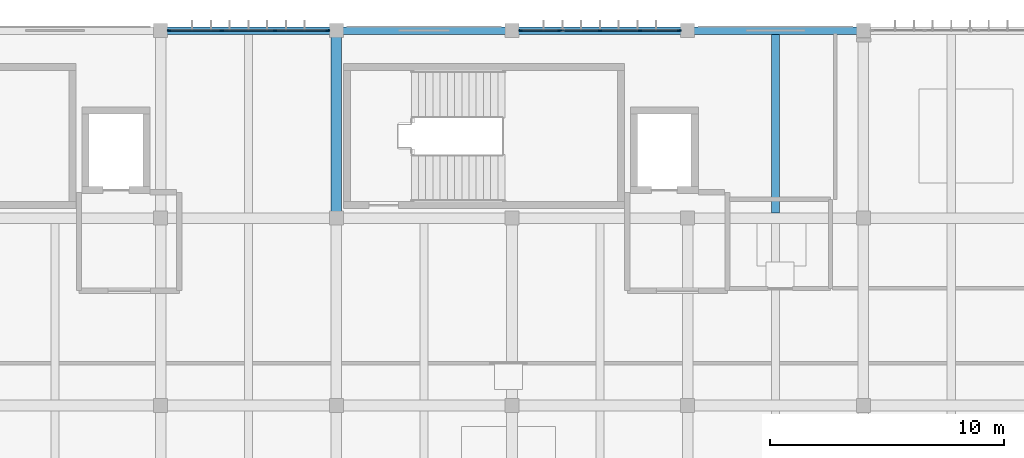
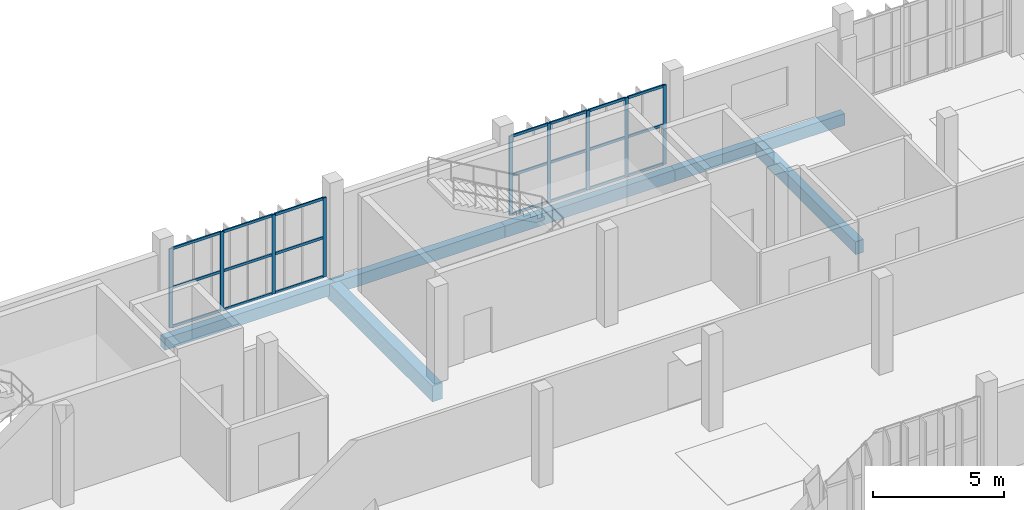
# One storey, part 16 of 81: 30 members, 6 beams, 2 elements without a shape of their own.
"""IFC4 building model written with IfcOpenShell, lengths in metres."""

from ifc_helpers import new_model, si_unit, direction, frame, origin, origin_2d, place, context, subcontext, project, spatial, rectangle, extrude, material, material_profile, profile_set, type_object, element, aggregate, save


model = new_model("IFC4")

# Units and contexts
model_context = context("Model", 3, precision=1e-05, world=origin(), true_north=direction((0.0, 1.0)))
body_context = subcontext(model_context, "Body", "Model", "MODEL_VIEW")
ifc_project = project(units=[si_unit("LENGTHUNIT", "METRE"), si_unit("AREAUNIT", "SQUARE_METRE"), si_unit("VOLUMEUNIT", "CUBIC_METRE"), si_unit("PLANEANGLEUNIT", "RADIAN"), si_unit("MASSUNIT", "GRAM", prefix="KILO")], contexts=[model_context])

# Site, building, storey
site_placement = place(None, origin())
site = spatial("IfcSite", under=ifc_project, at=site_placement, CompositionType="ELEMENT")
building_placement = place(site_placement, origin())
building = spatial("IfcBuilding", under=site, at=building_placement, Name="Vourika Railside Aquatics Centre", CompositionType="ELEMENT")
storey_placement = place(building_placement, frame((0.0, 0.0, 4.800048828125)))
storey = spatial("IfcBuildingStorey", under=building, at=storey_placement, Name="L01", CompositionType="ELEMENT", Elevation=4.800048828125)

# Beams
ifc_material_1 = material(Name="Concrete C35/45", Category="concrete")
ifc_material_profile_1 = material_profile(ifc_material_1, rectangle(XDim=0.449951171875, YDim=0.75, at=origin_2d()), Name="RC 450x750")
ifc_profile_set_1 = profile_set([ifc_material_profile_1], Name="Concrete C35/45")
beam_type_1 = type_object("IfcBeamType", Name="BM-GIRD-450x750", PredefinedType="BEAM", material=ifc_profile_set_1)
beam_1_placement = place(storey_placement, frame((43.5, 108.0, -0.675048828125), z_axis=(0.0, 1.0, 0.0), x_axis=(-1.0, 0.0, 0.0)))
element("IfcBeam", 1, at=beam_1_placement, inside=storey, type_object=beam_type_1, Name="Floor Girder GY-L01-206", PredefinedType="BEAM", context=body_context, shape_type="SweptSolid", body=[
    extrude(rectangle(XDim=0.449951171875, YDim=0.75, at=origin_2d()), origin(), (0.0, 0.0, 1.0), 8.0),
])
ifc_material_profile_2 = material_profile(ifc_material_1, rectangle(XDim=0.35009765625, YDim=0.60009765625, at=origin_2d()), Name="RC 350x600")
ifc_profile_set_2 = profile_set([ifc_material_profile_2], Name="Concrete C35/45")
beam_type_2 = type_object("IfcBeamType", Name="BM-SEC-350x600", PredefinedType="JOIST", material=ifc_profile_set_2)
beam_2_placement = place(storey_placement, frame((62.25, 108.22509765625, -0.60009765625), z_axis=(0.0, 1.0, 0.0), x_axis=(-1.0, 0.0, 0.0)))
element("IfcBeam", 2, at=beam_2_placement, inside=storey, type_object=beam_type_2, Name="Secondary Joist JY-L01-382", PredefinedType="JOIST", context=body_context, shape_type="SweptSolid", body=[
    extrude(rectangle(XDim=0.35009765625, YDim=0.60009765625, at=origin_2d()), origin(), (0.0, 0.0, 1.0), 7.614990234375),
])
ifc_material_profile_3 = material_profile(ifc_material_1, rectangle(XDim=0.320068359375, YDim=0.550048828125, at=origin_2d()), Name="RC 320x550")
ifc_profile_set_3 = profile_set([ifc_material_profile_3], Name="Concrete C35/45")
beam_type_3 = type_object("IfcBeamType", Name="BM-SPAN-320x550", PredefinedType="SPANDREL", material=ifc_profile_set_3)
for number, where, z_axis, x_axis, name in (
    (3, (36.0, 116.0, -0.574951171875), (1.0, 0.0, 0.0), (0.0, 1.0, 0.0), "Floor Beam GX-L01-156"),
    (4, (43.5, 116.0, -0.574951171875), (1.0, 0.0, 0.0), (0.0, 1.0, 0.0), "Floor Beam GX-L01-157"),
    (5, (51.0, 116.0, -0.574951171875), (1.0, 0.0, 0.0), (0.0, 1.0, 0.0), "Floor Beam GX-L01-158"),
    (6, (58.5, 116.0, -0.574951171875), (1.0, 0.0, 0.0), (0.0, 1.0, 0.0), "Floor Beam GX-L01-159"),
):
    element("IfcBeam", number, at=place(storey_placement, frame(where, z_axis=z_axis, x_axis=x_axis)), inside=storey, type_object=beam_type_3, Name=name, PredefinedType="SPANDREL", context=body_context, shape_type="SweptSolid", body=[
        extrude(rectangle(XDim=0.320068359375, YDim=0.550048828125, at=origin_2d()), origin(), (0.0, 0.0, 1.0), 7.5),
    ])

# Curtain wall, members
ifc_material_2 = material(Name="Anodized thermally broken aluminium", Category="aluminium")
curtain_wall_type = type_object("IfcCurtainWallType", Name="CW-FIT1", PredefinedType="NOTDEFINED", material=ifc_material_2)
curtain_wall_1_placement = place(storey_placement, origin())
curtain_wall_1 = element("IfcCurtainWall", 7, at=curtain_wall_1_placement, inside=storey, type_object=curtain_wall_type, Name="North Boulevard Curtain Wall L01-3", PredefinedType="NOTDEFINED")
ifc_material_3 = material(Name="Anodized aluminium mullion", Category="aluminium")
ifc_material_profile_4 = material_profile(ifc_material_3, rectangle(XDim=0.06201171875, YDim=0.156005859375, at=origin_2d()), Name="ALU-M 62x156")
ifc_profile_set_4 = profile_set([ifc_material_profile_4], Name="Anodized aluminium mullion")
member_type_1 = type_object("IfcMemberType", Name="CWM-FIT1", PredefinedType="MULLION", material=ifc_profile_set_4)
member_1_placement = place(storey_placement, frame((43.138916015625, 116.0, 0.0), z_axis=(0.0, 0.0, 1.0), x_axis=(0.0, -1.0, 0.0)))
member_1 = element("IfcMember", 8, at=member_1_placement, type_object=member_type_1, Name="CW15 mullion 1", PredefinedType="MULLION", context=body_context, shape_type="SweptSolid", body=[
    extrude(rectangle(XDim=0.06201171875, YDim=0.156005859375, at=origin_2d()), origin(), (0.0, 0.0, 1.0), 3.699951171875),
])
member_2_placement = place(storey_placement, frame((40.889892578125, 116.0, 0.0), z_axis=(0.0, 0.0, 1.0), x_axis=(0.0, -1.0, 0.0)))
member_2 = element("IfcMember", 9, at=member_2_placement, type_object=member_type_1, Name="CW15 mullion 2", PredefinedType="MULLION", context=body_context, shape_type="SweptSolid", body=[
    extrude(rectangle(XDim=0.06201171875, YDim=0.156005859375, at=origin_2d()), origin(), (0.0, 0.0, 1.0), 3.699951171875),
])
member_3_placement = place(storey_placement, frame((38.610107421875, 116.0, 0.0), z_axis=(0.0, 0.0, 1.0), x_axis=(0.0, -1.0, 0.0)))
member_3 = element("IfcMember", 10, at=member_3_placement, type_object=member_type_1, Name="CW15 mullion 3", PredefinedType="MULLION", context=body_context, shape_type="SweptSolid", body=[
    extrude(rectangle(XDim=0.06201171875, YDim=0.156005859375, at=origin_2d()), origin(), (0.0, 0.0, 1.0), 3.699951171875),
])
member_4_placement = place(storey_placement, frame((36.361083984375, 116.0, 0.0), z_axis=(0.0, 0.0, 1.0), x_axis=(0.0, -1.0, 0.0)))
member_4 = element("IfcMember", 11, at=member_4_placement, type_object=member_type_1, Name="CW15 mullion 4", PredefinedType="MULLION", context=body_context, shape_type="SweptSolid", body=[
    extrude(rectangle(XDim=0.06201171875, YDim=0.156005859375, at=origin_2d()), origin(), (0.0, 0.0, 1.0), 3.699951171875),
])

curtain_wall_2_placement = place(storey_placement, origin())
curtain_wall_2 = element("IfcCurtainWall", 12, at=curtain_wall_2_placement, inside=storey, type_object=curtain_wall_type, Name="North Boulevard Curtain Wall L01-5", PredefinedType="NOTDEFINED")
member_5_placement = place(storey_placement, frame((58.138916015625, 116.0, 0.0), z_axis=(0.0, 0.0, 1.0), x_axis=(0.0, -1.0, 0.0)))
member_5 = element("IfcMember", 13, at=member_5_placement, type_object=member_type_1, Name="CW15 mullion 1", PredefinedType="MULLION", context=body_context, shape_type="SweptSolid", body=[
    extrude(rectangle(XDim=0.06201171875, YDim=0.156005859375, at=origin_2d()), origin(), (0.0, 0.0, 1.0), 3.699951171875),
])
member_6_placement = place(storey_placement, frame((56.4599609375, 116.0, 0.0), z_axis=(0.0, 0.0, 1.0), x_axis=(0.0, -1.0, 0.0)))
member_6 = element("IfcMember", 14, at=member_6_placement, type_object=member_type_1, Name="CW15 mullion 2", PredefinedType="MULLION", context=body_context, shape_type="SweptSolid", body=[
    extrude(rectangle(XDim=0.06201171875, YDim=0.156005859375, at=origin_2d()), origin(), (0.0, 0.0, 1.0), 3.699951171875),
])
member_7_placement = place(storey_placement, frame((54.75, 116.0, 0.0), z_axis=(0.0, 0.0, 1.0), x_axis=(0.0, -1.0, 0.0)))
member_7 = element("IfcMember", 15, at=member_7_placement, type_object=member_type_1, Name="CW15 mullion 3", PredefinedType="MULLION", context=body_context, shape_type="SweptSolid", body=[
    extrude(rectangle(XDim=0.06201171875, YDim=0.156005859375, at=origin_2d()), origin(), (0.0, 0.0, 1.0), 3.699951171875),
])
member_8_placement = place(storey_placement, frame((53.0400390625, 116.0, 0.0), z_axis=(0.0, 0.0, 1.0), x_axis=(0.0, -1.0, 0.0)))
member_8 = element("IfcMember", 16, at=member_8_placement, type_object=member_type_1, Name="CW15 mullion 4", PredefinedType="MULLION", context=body_context, shape_type="SweptSolid", body=[
    extrude(rectangle(XDim=0.06201171875, YDim=0.156005859375, at=origin_2d()), origin(), (0.0, 0.0, 1.0), 3.699951171875),
])
member_9_placement = place(storey_placement, frame((51.361083984375, 116.0, 0.0), z_axis=(0.0, 0.0, 1.0), x_axis=(0.0, -1.0, 0.0)))
member_9 = element("IfcMember", 17, at=member_9_placement, type_object=member_type_1, Name="CW15 mullion 5", PredefinedType="MULLION", context=body_context, shape_type="SweptSolid", body=[
    extrude(rectangle(XDim=0.06201171875, YDim=0.156005859375, at=origin_2d()), origin(), (0.0, 0.0, 1.0), 3.699951171875),
])

# Member
ifc_material_4 = material(Name="Anodized aluminium transom", Category="aluminium")
ifc_material_profile_5 = material_profile(ifc_material_4, rectangle(XDim=0.06201171875, YDim=0.1220703125, at=origin_2d()), Name="ALU-T 62x122")
ifc_profile_set_5 = profile_set([ifc_material_profile_5], Name="Anodized aluminium transom")
member_type_2 = type_object("IfcMemberType", Name="CWT-FIT1", PredefinedType="USERDEFINED", material=ifc_profile_set_5)
member_10_placement = place(storey_placement, frame((43.10791015625, 116.0, 0.031005859375), z_axis=(-1.0, 0.0, 0.0), x_axis=(0.0, -1.0, 0.0)))
member_10 = element("IfcMember", 18, at=member_10_placement, type_object=member_type_2, Name="CW15 transom 1.1", ObjectType="TRANSOM", PredefinedType="USERDEFINED", context=body_context, shape_type="SweptSolid", body=[
    extrude(rectangle(XDim=0.06201171875, YDim=0.1220703125, at=origin_2d()), origin(), (0.0, 0.0, 1.0), 2.18701171875),
])

member_11_placement = place(storey_placement, frame((43.10791015625, 116.0, 1.849853515625), z_axis=(-1.0, 0.0, 0.0), x_axis=(0.0, -1.0, 0.0)))
member_11 = element("IfcMember", 19, at=member_11_placement, type_object=member_type_2, Name="CW15 transom 1.2", ObjectType="TRANSOM", PredefinedType="USERDEFINED", context=body_context, shape_type="SweptSolid", body=[
    extrude(rectangle(XDim=0.06201171875, YDim=0.1220703125, at=origin_2d()), origin(), (0.0, 0.0, 1.0), 2.18701171875),
])

member_12_placement = place(storey_placement, frame((43.10791015625, 116.0, 3.6689453125), z_axis=(-1.0, 0.0, 0.0), x_axis=(0.0, -1.0, 0.0)))
member_12 = element("IfcMember", 20, at=member_12_placement, type_object=member_type_2, Name="CW15 transom 1.3", ObjectType="TRANSOM", PredefinedType="USERDEFINED", context=body_context, shape_type="SweptSolid", body=[
    extrude(rectangle(XDim=0.06201171875, YDim=0.1220703125, at=origin_2d()), origin(), (0.0, 0.0, 1.0), 2.18701171875),
])

member_13_placement = place(storey_placement, frame((40.85888671875, 116.0, 0.031005859375), z_axis=(-1.0, 0.0, 0.0), x_axis=(0.0, -1.0, 0.0)))
member_13 = element("IfcMember", 21, at=member_13_placement, type_object=member_type_2, Name="CW15 transom 2.1", ObjectType="TRANSOM", PredefinedType="USERDEFINED", context=body_context, shape_type="SweptSolid", body=[
    extrude(rectangle(XDim=0.06201171875, YDim=0.1220703125, at=origin_2d()), origin(), (0.0, 0.0, 1.0), 2.2177734375),
])

member_14_placement = place(storey_placement, frame((40.85888671875, 116.0, 1.849853515625), z_axis=(-1.0, 0.0, 0.0), x_axis=(0.0, -1.0, 0.0)))
member_14 = element("IfcMember", 22, at=member_14_placement, type_object=member_type_2, Name="CW15 transom 2.2", ObjectType="TRANSOM", PredefinedType="USERDEFINED", context=body_context, shape_type="SweptSolid", body=[
    extrude(rectangle(XDim=0.06201171875, YDim=0.1220703125, at=origin_2d()), origin(), (0.0, 0.0, 1.0), 2.2177734375),
])

member_15_placement = place(storey_placement, frame((40.85888671875, 116.0, 3.6689453125), z_axis=(-1.0, 0.0, 0.0), x_axis=(0.0, -1.0, 0.0)))
member_15 = element("IfcMember", 23, at=member_15_placement, type_object=member_type_2, Name="CW15 transom 2.3", ObjectType="TRANSOM", PredefinedType="USERDEFINED", context=body_context, shape_type="SweptSolid", body=[
    extrude(rectangle(XDim=0.06201171875, YDim=0.1220703125, at=origin_2d()), origin(), (0.0, 0.0, 1.0), 2.2177734375),
])

member_16_placement = place(storey_placement, frame((38.5791015625, 116.0, 0.031005859375), z_axis=(-1.0, 0.0, 0.0), x_axis=(0.0, -1.0, 0.0)))
member_16 = element("IfcMember", 24, at=member_16_placement, type_object=member_type_2, Name="CW15 transom 3.1", ObjectType="TRANSOM", PredefinedType="USERDEFINED", context=body_context, shape_type="SweptSolid", body=[
    extrude(rectangle(XDim=0.06201171875, YDim=0.1220703125, at=origin_2d()), origin(), (0.0, 0.0, 1.0), 2.18701171875),
])

member_17_placement = place(storey_placement, frame((38.5791015625, 116.0, 1.849853515625), z_axis=(-1.0, 0.0, 0.0), x_axis=(0.0, -1.0, 0.0)))
member_17 = element("IfcMember", 25, at=member_17_placement, type_object=member_type_2, Name="CW15 transom 3.2", ObjectType="TRANSOM", PredefinedType="USERDEFINED", context=body_context, shape_type="SweptSolid", body=[
    extrude(rectangle(XDim=0.06201171875, YDim=0.1220703125, at=origin_2d()), origin(), (0.0, 0.0, 1.0), 2.18701171875),
])

member_18_placement = place(storey_placement, frame((38.5791015625, 116.0, 3.6689453125), z_axis=(-1.0, 0.0, 0.0), x_axis=(0.0, -1.0, 0.0)))
member_18 = element("IfcMember", 26, at=member_18_placement, type_object=member_type_2, Name="CW15 transom 3.3", ObjectType="TRANSOM", PredefinedType="USERDEFINED", context=body_context, shape_type="SweptSolid", body=[
    extrude(rectangle(XDim=0.06201171875, YDim=0.1220703125, at=origin_2d()), origin(), (0.0, 0.0, 1.0), 2.18701171875),
])

aggregate(curtain_wall_1, [member_1, member_2, member_3, member_4, member_10, member_11, member_12, member_13, member_14, member_15, member_16, member_17, member_18])

member_19_placement = place(storey_placement, frame((58.10791015625, 116.0, 0.031005859375), z_axis=(-1.0, 0.0, 0.0), x_axis=(0.0, -1.0, 0.0)))
member_19 = element("IfcMember", 27, at=member_19_placement, type_object=member_type_2, Name="CW15 transom 1.1", ObjectType="TRANSOM", PredefinedType="USERDEFINED", context=body_context, shape_type="SweptSolid", body=[
    extrude(rectangle(XDim=0.06201171875, YDim=0.1220703125, at=origin_2d()), origin(), (0.0, 0.0, 1.0), 1.616943359375),
])

member_20_placement = place(storey_placement, frame((58.10791015625, 116.0, 1.849853515625), z_axis=(-1.0, 0.0, 0.0), x_axis=(0.0, -1.0, 0.0)))
member_20 = element("IfcMember", 28, at=member_20_placement, type_object=member_type_2, Name="CW15 transom 1.2", ObjectType="TRANSOM", PredefinedType="USERDEFINED", context=body_context, shape_type="SweptSolid", body=[
    extrude(rectangle(XDim=0.06201171875, YDim=0.1220703125, at=origin_2d()), origin(), (0.0, 0.0, 1.0), 1.616943359375),
])

member_21_placement = place(storey_placement, frame((58.10791015625, 116.0, 3.6689453125), z_axis=(-1.0, 0.0, 0.0), x_axis=(0.0, -1.0, 0.0)))
member_21 = element("IfcMember", 29, at=member_21_placement, type_object=member_type_2, Name="CW15 transom 1.3", ObjectType="TRANSOM", PredefinedType="USERDEFINED", context=body_context, shape_type="SweptSolid", body=[
    extrude(rectangle(XDim=0.06201171875, YDim=0.1220703125, at=origin_2d()), origin(), (0.0, 0.0, 1.0), 1.616943359375),
])

member_22_placement = place(storey_placement, frame((56.428955078125, 116.0, 0.031005859375), z_axis=(-1.0, 0.0, 0.0), x_axis=(0.0, -1.0, 0.0)))
member_22 = element("IfcMember", 30, at=member_22_placement, type_object=member_type_2, Name="CW15 transom 2.1", ObjectType="TRANSOM", PredefinedType="USERDEFINED", context=body_context, shape_type="SweptSolid", body=[
    extrude(rectangle(XDim=0.06201171875, YDim=0.1220703125, at=origin_2d()), origin(), (0.0, 0.0, 1.0), 1.64794921875),
])

member_23_placement = place(storey_placement, frame((56.428955078125, 116.0, 1.849853515625), z_axis=(-1.0, 0.0, 0.0), x_axis=(0.0, -1.0, 0.0)))
member_23 = element("IfcMember", 31, at=member_23_placement, type_object=member_type_2, Name="CW15 transom 2.2", ObjectType="TRANSOM", PredefinedType="USERDEFINED", context=body_context, shape_type="SweptSolid", body=[
    extrude(rectangle(XDim=0.06201171875, YDim=0.1220703125, at=origin_2d()), origin(), (0.0, 0.0, 1.0), 1.64794921875),
])

member_24_placement = place(storey_placement, frame((56.428955078125, 116.0, 3.6689453125), z_axis=(-1.0, 0.0, 0.0), x_axis=(0.0, -1.0, 0.0)))
member_24 = element("IfcMember", 32, at=member_24_placement, type_object=member_type_2, Name="CW15 transom 2.3", ObjectType="TRANSOM", PredefinedType="USERDEFINED", context=body_context, shape_type="SweptSolid", body=[
    extrude(rectangle(XDim=0.06201171875, YDim=0.1220703125, at=origin_2d()), origin(), (0.0, 0.0, 1.0), 1.64794921875),
])

member_25_placement = place(storey_placement, frame((54.718994140625, 116.0, 0.031005859375), z_axis=(-1.0, 0.0, 0.0), x_axis=(0.0, -1.0, 0.0)))
member_25 = element("IfcMember", 33, at=member_25_placement, type_object=member_type_2, Name="CW15 transom 3.1", ObjectType="TRANSOM", PredefinedType="USERDEFINED", context=body_context, shape_type="SweptSolid", body=[
    extrude(rectangle(XDim=0.06201171875, YDim=0.1220703125, at=origin_2d()), origin(), (0.0, 0.0, 1.0), 1.64794921875),
])

member_26_placement = place(storey_placement, frame((54.718994140625, 116.0, 1.849853515625), z_axis=(-1.0, 0.0, 0.0), x_axis=(0.0, -1.0, 0.0)))
member_26 = element("IfcMember", 34, at=member_26_placement, type_object=member_type_2, Name="CW15 transom 3.2", ObjectType="TRANSOM", PredefinedType="USERDEFINED", context=body_context, shape_type="SweptSolid", body=[
    extrude(rectangle(XDim=0.06201171875, YDim=0.1220703125, at=origin_2d()), origin(), (0.0, 0.0, 1.0), 1.64794921875),
])

member_27_placement = place(storey_placement, frame((54.718994140625, 116.0, 3.6689453125), z_axis=(-1.0, 0.0, 0.0), x_axis=(0.0, -1.0, 0.0)))
member_27 = element("IfcMember", 35, at=member_27_placement, type_object=member_type_2, Name="CW15 transom 3.3", ObjectType="TRANSOM", PredefinedType="USERDEFINED", context=body_context, shape_type="SweptSolid", body=[
    extrude(rectangle(XDim=0.06201171875, YDim=0.1220703125, at=origin_2d()), origin(), (0.0, 0.0, 1.0), 1.64794921875),
])

member_28_placement = place(storey_placement, frame((53.009033203125, 116.0, 0.031005859375), z_axis=(-1.0, 0.0, 0.0), x_axis=(0.0, -1.0, 0.0)))
member_28 = element("IfcMember", 36, at=member_28_placement, type_object=member_type_2, Name="CW15 transom 4.1", ObjectType="TRANSOM", PredefinedType="USERDEFINED", context=body_context, shape_type="SweptSolid", body=[
    extrude(rectangle(XDim=0.06201171875, YDim=0.1220703125, at=origin_2d()), origin(), (0.0, 0.0, 1.0), 1.616943359375),
])

member_29_placement = place(storey_placement, frame((53.009033203125, 116.0, 1.849853515625), z_axis=(-1.0, 0.0, 0.0), x_axis=(0.0, -1.0, 0.0)))
member_29 = element("IfcMember", 37, at=member_29_placement, type_object=member_type_2, Name="CW15 transom 4.2", ObjectType="TRANSOM", PredefinedType="USERDEFINED", context=body_context, shape_type="SweptSolid", body=[
    extrude(rectangle(XDim=0.06201171875, YDim=0.1220703125, at=origin_2d()), origin(), (0.0, 0.0, 1.0), 1.616943359375),
])

member_30_placement = place(storey_placement, frame((53.009033203125, 116.0, 3.6689453125), z_axis=(-1.0, 0.0, 0.0), x_axis=(0.0, -1.0, 0.0)))
member_30 = element("IfcMember", 38, at=member_30_placement, type_object=member_type_2, Name="CW15 transom 4.3", ObjectType="TRANSOM", PredefinedType="USERDEFINED", context=body_context, shape_type="SweptSolid", body=[
    extrude(rectangle(XDim=0.06201171875, YDim=0.1220703125, at=origin_2d()), origin(), (0.0, 0.0, 1.0), 1.616943359375),
])

aggregate(curtain_wall_2, [member_5, member_6, member_7, member_8, member_9, member_19, member_20, member_21, member_22, member_23, member_24, member_25, member_26, member_27, member_28, member_29, member_30])

save(model, "model.ifc")
